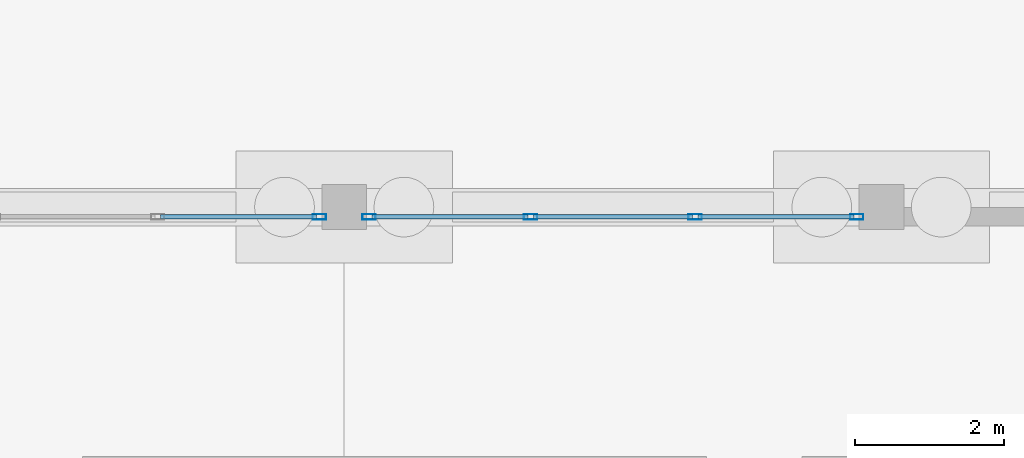
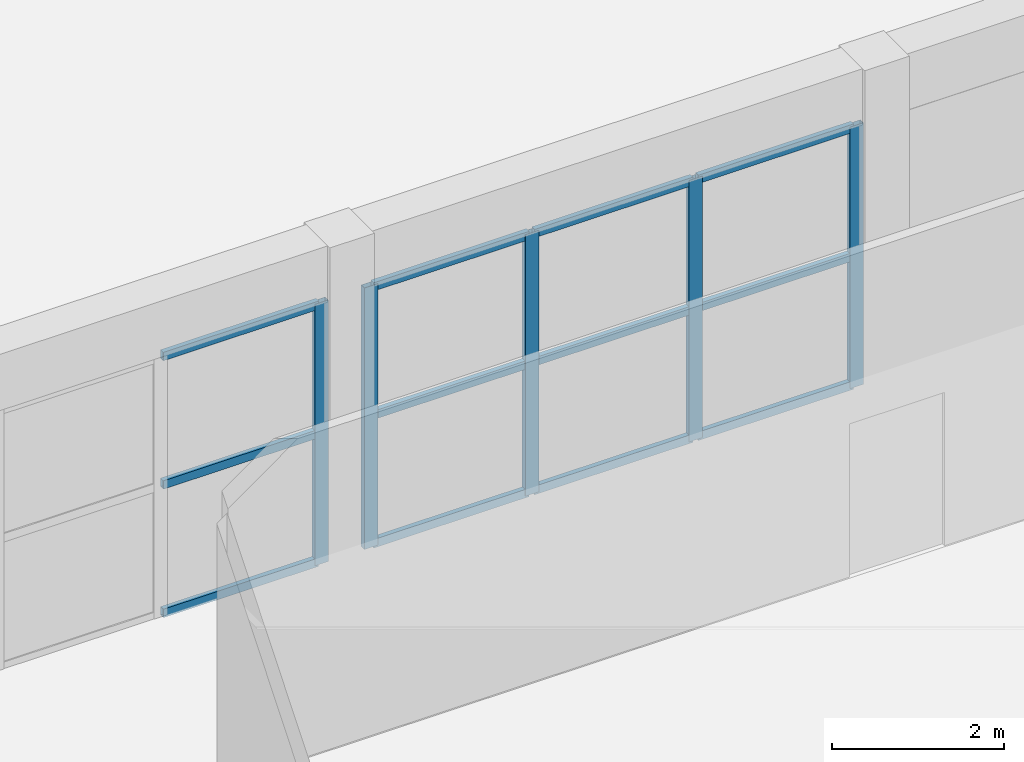
# One storey, part 41 of 155: 17 members, 2 elements without a shape of their own.
"""IFC4 building model written with IfcOpenShell, lengths in metres."""

from ifc_helpers import new_model, si_unit, direction, frame, origin, origin_2d, place, context, subcontext, project, spatial, hollow_rectangle, extrude, material, material_profile, profile_set, type_object, element, aggregate, save


model = new_model("IFC4")

# Units and contexts
model_context = context("Model", 3, precision=1e-05, world=origin(), true_north=direction((0.0, 1.0)))
body_context = subcontext(model_context, "Body", "Model", "MODEL_VIEW")
ifc_project = project(units=[si_unit("LENGTHUNIT", "METRE"), si_unit("AREAUNIT", "SQUARE_METRE"), si_unit("VOLUMEUNIT", "CUBIC_METRE"), si_unit("PLANEANGLEUNIT", "RADIAN"), si_unit("MASSUNIT", "GRAM", prefix="KILO")], contexts=[model_context])

# Site, building, storey
site_placement = place(None, origin())
site = spatial("IfcSite", under=ifc_project, at=site_placement, CompositionType="ELEMENT")
building_placement = place(site_placement, origin())
building = spatial("IfcBuilding", under=site, at=building_placement, Name="Bramvelor Terrace Health Centre", CompositionType="ELEMENT")
storey_placement = place(building_placement, origin())
storey = spatial("IfcBuildingStorey", under=building, at=storey_placement, Name="L01", CompositionType="ELEMENT", Elevation=0.0)

# Curtain wall, member
ifc_material_1 = material(Name="Anodized aluminium and double low-E glass", Category="aluminium")
curtain_wall_type = type_object("IfcCurtainWallType", Name="CW-SYS-02", PredefinedType="NOTDEFINED", material=ifc_material_1)
curtain_wall_1_placement = place(storey_placement, origin())
curtain_wall_1 = element("IfcCurtainWall", 1, at=curtain_wall_1_placement, inside=storey, type_object=curtain_wall_type, Name="L01 Unitized Curtain Wall 60", PredefinedType="NOTDEFINED")
ifc_material_2 = material(Name="Anodized aluminium 6063-T6", Category="aluminium")
ifc_material_profile_1 = material_profile(ifc_material_2, hollow_rectangle(XDim=0.074951171875, YDim=0.179931640625, WallThickness=0.00341796875, at=origin_2d()), Name="ALU-MUL 75x180x3.5")
ifc_profile_set_1 = profile_set([ifc_material_profile_1], Name="Anodized aluminium 6063-T6")
member_type_1 = type_object("IfcMemberType", Name="CW-MUL-65x180", PredefinedType="MULLION", material=ifc_profile_set_1)
member_1_placement = place(storey_placement, frame((64.467529296875, 50.27001953125, 0.0), z_axis=(0.0, 0.0, 1.0), x_axis=(0.0, 1.0, 0.0)))
member_1 = element("IfcMember", 2, at=member_1_placement, type_object=member_type_1, Name="CW-02 mullion 4", PredefinedType="MULLION", context=body_context, shape_type="SweptSolid", body=[
    extrude(hollow_rectangle(XDim=0.074951171875, YDim=0.179931640625, WallThickness=0.00341796875, at=origin_2d()), origin(), (0.0, 0.0, 1.0), 3.719970703125),
])

# Curtain wall, members
curtain_wall_2_placement = place(storey_placement, origin())
curtain_wall_2 = element("IfcCurtainWall", 3, at=curtain_wall_2_placement, inside=storey, type_object=curtain_wall_type, Name="L01 Unitized Curtain Wall 61", PredefinedType="NOTDEFINED")
member_2_placement = place(storey_placement, frame((65.132568359375, 50.27001953125, 0.0), z_axis=(0.0, 0.0, 1.0), x_axis=(0.0, 1.0, 0.0)))
member_2 = element("IfcMember", 4, at=member_2_placement, type_object=member_type_1, Name="CW-02 mullion 1", PredefinedType="MULLION", context=body_context, shape_type="SweptSolid", body=[
    extrude(hollow_rectangle(XDim=0.074951171875, YDim=0.179931640625, WallThickness=0.00341796875, at=origin_2d()), origin(), (0.0, 0.0, 1.0), 3.719970703125),
])
member_3_placement = place(storey_placement, frame((67.29833984375, 50.27001953125, 0.0), z_axis=(0.0, 0.0, 1.0), x_axis=(0.0, 1.0, 0.0)))
member_3 = element("IfcMember", 5, at=member_3_placement, type_object=member_type_1, Name="CW-02 mullion 2", PredefinedType="MULLION", context=body_context, shape_type="SweptSolid", body=[
    extrude(hollow_rectangle(XDim=0.074951171875, YDim=0.179931640625, WallThickness=0.00341796875, at=origin_2d()), origin(), (0.0, 0.0, 1.0), 3.719970703125),
])
member_4_placement = place(storey_placement, frame((69.501708984375, 50.27001953125, 0.0), z_axis=(0.0, 0.0, 1.0), x_axis=(0.0, 1.0, 0.0)))
member_4 = element("IfcMember", 6, at=member_4_placement, type_object=member_type_1, Name="CW-02 mullion 3", PredefinedType="MULLION", context=body_context, shape_type="SweptSolid", body=[
    extrude(hollow_rectangle(XDim=0.074951171875, YDim=0.179931640625, WallThickness=0.00341796875, at=origin_2d()), origin(), (0.0, 0.0, 1.0), 3.719970703125),
])
member_5_placement = place(storey_placement, frame((71.66748046875, 50.27001953125, 0.0), z_axis=(0.0, 0.0, 1.0), x_axis=(0.0, 1.0, 0.0)))
member_5 = element("IfcMember", 7, at=member_5_placement, type_object=member_type_1, Name="CW-02 mullion 4", PredefinedType="MULLION", context=body_context, shape_type="SweptSolid", body=[
    extrude(hollow_rectangle(XDim=0.074951171875, YDim=0.179931640625, WallThickness=0.00341796875, at=origin_2d()), origin(), (0.0, 0.0, 1.0), 3.719970703125),
])

# Member
ifc_material_3 = material(Name="Anodized aluminium 6063-T6", Category="aluminium")
ifc_material_profile_2 = material_profile(ifc_material_3, hollow_rectangle(XDim=0.06494140625, YDim=0.1201171875, WallThickness=0.0029296875, at=origin_2d()), Name="ALU-TRN 65x120x3.0")
ifc_profile_set_2 = profile_set([ifc_material_profile_2], Name="Anodized aluminium 6063-T6")
member_type_2 = type_object("IfcMemberType", Name="CW-TRN-65x150", PredefinedType="USERDEFINED", material=ifc_profile_set_2)
member_6_placement = place(storey_placement, frame((62.339111328125, 50.27001953125, 0.032470703125), z_axis=(1.0, 0.0, 0.0), x_axis=(0.0, 1.0, 0.0)))
member_6 = element("IfcMember", 8, at=member_6_placement, type_object=member_type_2, Name="CW-02 transom 3.1", ObjectType="TRANSOM", PredefinedType="USERDEFINED", context=body_context, shape_type="SweptSolid", body=[
    extrude(hollow_rectangle(XDim=0.06494140625, YDim=0.1201171875, WallThickness=0.0029296875, at=origin_2d()), origin(), (0.0, 0.0, 1.0), 2.0908203125),
])

member_7_placement = place(storey_placement, frame((62.339111328125, 50.27001953125, 1.860107421875), z_axis=(1.0, 0.0, 0.0), x_axis=(0.0, 1.0, 0.0)))
member_7 = element("IfcMember", 9, at=member_7_placement, type_object=member_type_2, Name="CW-02 transom 3.2", ObjectType="TRANSOM", PredefinedType="USERDEFINED", context=body_context, shape_type="SweptSolid", body=[
    extrude(hollow_rectangle(XDim=0.06494140625, YDim=0.1201171875, WallThickness=0.0029296875, at=origin_2d()), origin(), (0.0, 0.0, 1.0), 2.0908203125),
])

member_8_placement = place(storey_placement, frame((62.339111328125, 50.27001953125, 3.6875), z_axis=(1.0, 0.0, 0.0), x_axis=(0.0, 1.0, 0.0)))
member_8 = element("IfcMember", 10, at=member_8_placement, type_object=member_type_2, Name="CW-02 transom 3.3", ObjectType="TRANSOM", PredefinedType="USERDEFINED", context=body_context, shape_type="SweptSolid", body=[
    extrude(hollow_rectangle(XDim=0.06494140625, YDim=0.1201171875, WallThickness=0.0029296875, at=origin_2d()), origin(), (0.0, 0.0, 1.0), 2.0908203125),
])

aggregate(curtain_wall_1, [member_1, member_6, member_7, member_8])

member_9_placement = place(storey_placement, frame((65.169921875, 50.27001953125, 0.032470703125), z_axis=(1.0, 0.0, 0.0), x_axis=(0.0, 1.0, 0.0)))
member_9 = element("IfcMember", 11, at=member_9_placement, type_object=member_type_2, Name="CW-02 transom 1.1", ObjectType="TRANSOM", PredefinedType="USERDEFINED", context=body_context, shape_type="SweptSolid", body=[
    extrude(hollow_rectangle(XDim=0.06494140625, YDim=0.1201171875, WallThickness=0.0029296875, at=origin_2d()), origin(), (0.0, 0.0, 1.0), 2.0908203125),
])

member_10_placement = place(storey_placement, frame((65.169921875, 50.27001953125, 1.860107421875), z_axis=(1.0, 0.0, 0.0), x_axis=(0.0, 1.0, 0.0)))
member_10 = element("IfcMember", 12, at=member_10_placement, type_object=member_type_2, Name="CW-02 transom 1.2", ObjectType="TRANSOM", PredefinedType="USERDEFINED", context=body_context, shape_type="SweptSolid", body=[
    extrude(hollow_rectangle(XDim=0.06494140625, YDim=0.1201171875, WallThickness=0.0029296875, at=origin_2d()), origin(), (0.0, 0.0, 1.0), 2.0908203125),
])

member_11_placement = place(storey_placement, frame((65.169921875, 50.27001953125, 3.6875), z_axis=(1.0, 0.0, 0.0), x_axis=(0.0, 1.0, 0.0)))
member_11 = element("IfcMember", 13, at=member_11_placement, type_object=member_type_2, Name="CW-02 transom 1.3", ObjectType="TRANSOM", PredefinedType="USERDEFINED", context=body_context, shape_type="SweptSolid", body=[
    extrude(hollow_rectangle(XDim=0.06494140625, YDim=0.1201171875, WallThickness=0.0029296875, at=origin_2d()), origin(), (0.0, 0.0, 1.0), 2.0908203125),
])

member_12_placement = place(storey_placement, frame((67.3359375, 50.27001953125, 0.032470703125), z_axis=(1.0, 0.0, 0.0), x_axis=(0.0, 1.0, 0.0)))
member_12 = element("IfcMember", 14, at=member_12_placement, type_object=member_type_2, Name="CW-02 transom 2.1", ObjectType="TRANSOM", PredefinedType="USERDEFINED", context=body_context, shape_type="SweptSolid", body=[
    extrude(hollow_rectangle(XDim=0.06494140625, YDim=0.1201171875, WallThickness=0.0029296875, at=origin_2d()), origin(), (0.0, 0.0, 1.0), 2.128173828125),
])

member_13_placement = place(storey_placement, frame((67.3359375, 50.27001953125, 1.860107421875), z_axis=(1.0, 0.0, 0.0), x_axis=(0.0, 1.0, 0.0)))
member_13 = element("IfcMember", 15, at=member_13_placement, type_object=member_type_2, Name="CW-02 transom 2.2", ObjectType="TRANSOM", PredefinedType="USERDEFINED", context=body_context, shape_type="SweptSolid", body=[
    extrude(hollow_rectangle(XDim=0.06494140625, YDim=0.1201171875, WallThickness=0.0029296875, at=origin_2d()), origin(), (0.0, 0.0, 1.0), 2.128173828125),
])

member_14_placement = place(storey_placement, frame((67.3359375, 50.27001953125, 3.6875), z_axis=(1.0, 0.0, 0.0), x_axis=(0.0, 1.0, 0.0)))
member_14 = element("IfcMember", 16, at=member_14_placement, type_object=member_type_2, Name="CW-02 transom 2.3", ObjectType="TRANSOM", PredefinedType="USERDEFINED", context=body_context, shape_type="SweptSolid", body=[
    extrude(hollow_rectangle(XDim=0.06494140625, YDim=0.1201171875, WallThickness=0.0029296875, at=origin_2d()), origin(), (0.0, 0.0, 1.0), 2.128173828125),
])

member_15_placement = place(storey_placement, frame((69.5390625, 50.27001953125, 0.032470703125), z_axis=(1.0, 0.0, 0.0), x_axis=(0.0, 1.0, 0.0)))
member_15 = element("IfcMember", 17, at=member_15_placement, type_object=member_type_2, Name="CW-02 transom 3.1", ObjectType="TRANSOM", PredefinedType="USERDEFINED", context=body_context, shape_type="SweptSolid", body=[
    extrude(hollow_rectangle(XDim=0.06494140625, YDim=0.1201171875, WallThickness=0.0029296875, at=origin_2d()), origin(), (0.0, 0.0, 1.0), 2.0908203125),
])

member_16_placement = place(storey_placement, frame((69.5390625, 50.27001953125, 1.860107421875), z_axis=(1.0, 0.0, 0.0), x_axis=(0.0, 1.0, 0.0)))
member_16 = element("IfcMember", 18, at=member_16_placement, type_object=member_type_2, Name="CW-02 transom 3.2", ObjectType="TRANSOM", PredefinedType="USERDEFINED", context=body_context, shape_type="SweptSolid", body=[
    extrude(hollow_rectangle(XDim=0.06494140625, YDim=0.1201171875, WallThickness=0.0029296875, at=origin_2d()), origin(), (0.0, 0.0, 1.0), 2.0908203125),
])

member_17_placement = place(storey_placement, frame((69.5390625, 50.27001953125, 3.6875), z_axis=(1.0, 0.0, 0.0), x_axis=(0.0, 1.0, 0.0)))
member_17 = element("IfcMember", 19, at=member_17_placement, type_object=member_type_2, Name="CW-02 transom 3.3", ObjectType="TRANSOM", PredefinedType="USERDEFINED", context=body_context, shape_type="SweptSolid", body=[
    extrude(hollow_rectangle(XDim=0.06494140625, YDim=0.1201171875, WallThickness=0.0029296875, at=origin_2d()), origin(), (0.0, 0.0, 1.0), 2.0908203125),
])

aggregate(curtain_wall_2, [member_2, member_3, member_4, member_5, member_9, member_10, member_11, member_12, member_13, member_14, member_15, member_16, member_17])

save(model, "model.ifc")
